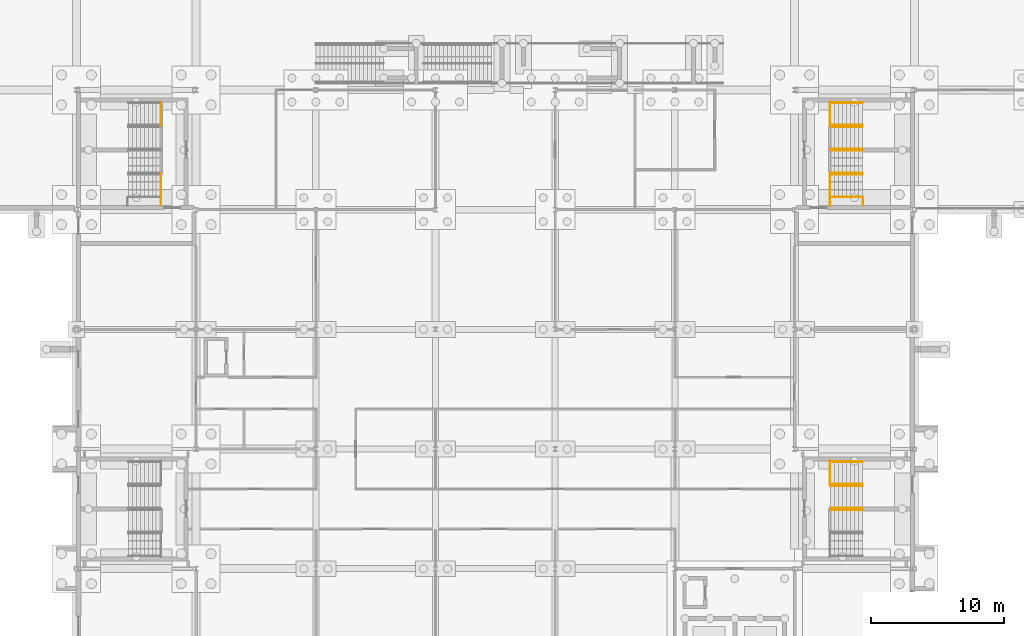
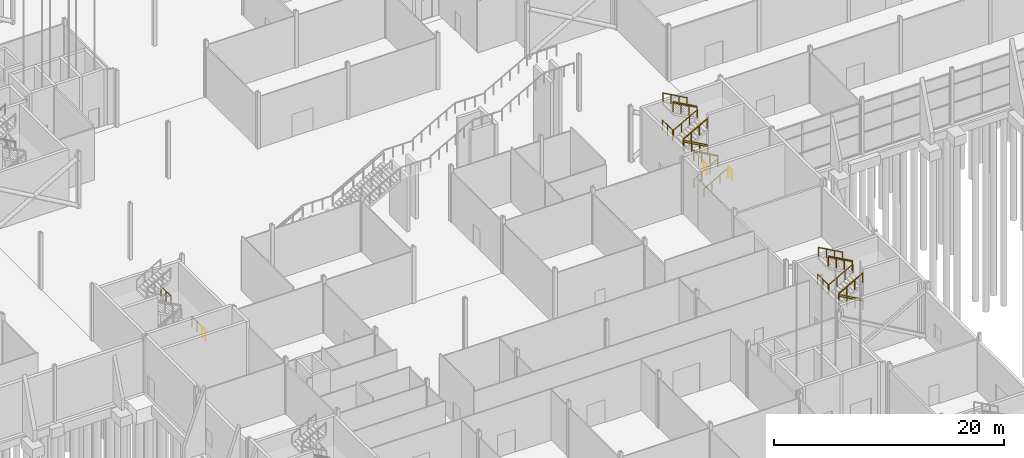
# One storey, part 133 of 139: 28 railings.
"""IFC4 building model written with IfcOpenShell, lengths in metres."""

from ifc_helpers import new_model, si_unit, direction, frame, origin, origin_2d, place, context, subcontext, project, spatial, circle, extrude, material, type_object, element, save


model = new_model("IFC4")

# Units and contexts
model_context = context("Model", 3, precision=1e-05, world=origin(), true_north=direction((0.0, 1.0)))
body_context = subcontext(model_context, "Body", "Model", "MODEL_VIEW")
ifc_project = project(units=[si_unit("LENGTHUNIT", "METRE"), si_unit("AREAUNIT", "SQUARE_METRE"), si_unit("VOLUMEUNIT", "CUBIC_METRE"), si_unit("PLANEANGLEUNIT", "RADIAN"), si_unit("MASSUNIT", "GRAM", prefix="KILO")], contexts=[model_context])

# Site, building, storey
site_placement = place(None, origin())
site = spatial("IfcSite", under=ifc_project, at=site_placement, CompositionType="ELEMENT")
building_placement = place(site_placement, origin())
building = spatial("IfcBuilding", under=site, at=building_placement, Name="Shorebreak Coast Museum", CompositionType="ELEMENT")
storey_placement = place(building_placement, origin())
storey = spatial("IfcBuildingStorey", under=building, at=storey_placement, Name="L00", CompositionType="ELEMENT", Elevation=0.0)

# Railings
ifc_material_1 = material(Name="Steel Grade 300", Category="steel")
railing_type_1 = type_object("IfcRailingType", Name="Stair guard 1100", PredefinedType="GUARDRAIL", material=ifc_material_1)
for number, where, name in (
    (1, (60.35009765625, 54.89990234375, 3.0), "Guard ST01 L00 landing mid1"),
    (2, (60.35009765625, 60.300048828125, 3.0), "Guard ST01 L00 landing mid1"),
):
    element("IfcRailing", number, at=place(storey_placement, frame(where)), inside=storey, type_object=railing_type_1, Name=name, PredefinedType="GUARDRAIL", context=body_context, shape_type="SweptSolid", body=[
        extrude(circle(Radius=0.02490234375, at=origin_2d()), frame((0.0, 0.0, 1.0751953125), z_axis=(0.0, 1.0, 0.0), x_axis=(-1.0, 0.0, 0.0)), (0.0, 0.0, 1.0), 1.800048828125),
        extrude(circle(Radius=0.02001953125, at=origin_2d()), origin(), (0.0, 0.0, 1.0), 1.050048828125),
        extrude(circle(Radius=0.02001953125, at=origin_2d()), frame((0.0, 0.89990234375, 0.0)), (0.0, 0.0, 1.0), 1.050048828125),
        extrude(circle(Radius=0.02001953125, at=origin_2d()), frame((0.0, 1.800048828125, 0.0)), (0.0, 0.0, 1.0), 1.050048828125),
    ])
railing_1_placement = place(storey_placement, frame((60.35009765625, 54.300048828125, 3.0)))
element("IfcRailing", 3, at=railing_1_placement, inside=storey, type_object=railing_type_1, Name="Guard ST01 L00 landing strip", PredefinedType="GUARDRAIL", context=body_context, shape_type="SweptSolid", body=[
    extrude(circle(Radius=0.02490234375, at=origin_2d()), frame((0.0, 0.0, 1.0751953125), z_axis=(0.0, 1.0, 0.0), x_axis=(-1.0, 0.0, 0.0)), (0.0, 0.0, 1.0), 0.599853515625),
    extrude(circle(Radius=0.02001953125, at=origin_2d()), origin(), (0.0, 0.0, 1.0), 1.050048828125),
    extrude(circle(Radius=0.02001953125, at=origin_2d()), frame((0.0, 0.599853515625, 0.0)), (0.0, 0.0, 1.0), 1.050048828125),
])
for number, where, name in (
    (4, (110.64990234375, 54.89990234375, 3.0), "Guard ST02 L00 landing mid1"),
    (5, (110.64990234375, 60.300048828125, 3.0), "Guard ST02 L00 landing mid1"),
):
    element("IfcRailing", number, at=place(storey_placement, frame(where)), inside=storey, type_object=railing_type_1, Name=name, PredefinedType="GUARDRAIL", context=body_context, shape_type="SweptSolid", body=[
        extrude(circle(Radius=0.02490234375, at=origin_2d()), frame((0.0, 0.0, 1.0751953125), z_axis=(0.0, 1.0, 0.0), x_axis=(-1.0, 0.0, 0.0)), (0.0, 0.0, 1.0), 1.800048828125),
        extrude(circle(Radius=0.02001953125, at=origin_2d()), origin(), (0.0, 0.0, 1.0), 1.050048828125),
        extrude(circle(Radius=0.02001953125, at=origin_2d()), frame((0.0, 0.89990234375, 0.0)), (0.0, 0.0, 1.0), 1.050048828125),
        extrude(circle(Radius=0.02001953125, at=origin_2d()), frame((0.0, 1.800048828125, 0.0)), (0.0, 0.0, 1.0), 1.050048828125),
    ])
for number, where, name in (
    (6, (110.64990234375, 54.300048828125, 3.0), "Guard ST02 L00 landing strip"),
    (7, (113.14990234375, 54.300048828125, 1.5), "Guard ST02 L00 landing strip"),
):
    element("IfcRailing", number, at=place(storey_placement, frame(where)), inside=storey, type_object=railing_type_1, Name=name, PredefinedType="GUARDRAIL", context=body_context, shape_type="SweptSolid", body=[
        extrude(circle(Radius=0.02490234375, at=origin_2d()), frame((0.0, 0.0, 1.0751953125), z_axis=(0.0, 1.0, 0.0), x_axis=(-1.0, 0.0, 0.0)), (0.0, 0.0, 1.0), 0.599853515625),
        extrude(circle(Radius=0.02001953125, at=origin_2d()), origin(), (0.0, 0.0, 1.0), 1.050048828125),
        extrude(circle(Radius=0.02001953125, at=origin_2d()), frame((0.0, 0.599853515625, 0.0)), (0.0, 0.0, 1.0), 1.050048828125),
    ])
for number, where, name in (
    (8, (113.10009765625, 56.699951171875, 1.666748046875), "Guard ST02-L00 well 1"),
    (9, (113.10009765625, 60.300048828125, 4.666748046875), "Guard ST02-L00 well 2"),
    (10, (113.10009765625, 58.5, 1.666748046875), "Guard ST02-L00 side 1"),
):
    element("IfcRailing", number, at=place(storey_placement, frame(where)), inside=storey, type_object=railing_type_1, Name=name, PredefinedType="GUARDRAIL", context=body_context, shape_type="SweptSolid", body=[
        extrude(circle(Radius=0.02490234375, at=origin_2d()), frame((0.0, 0.0, 1.0751953125), z_axis=(-0.874182441271, 0.0, 0.485597631145), x_axis=(0.0, -1.0, 0.0)), (0.0, 0.0, 1.0), 2.74560546875),
        extrude(circle(Radius=0.02001953125, at=origin_2d()), origin(), (0.0, 0.0, 1.0), 1.050048828125),
        extrude(circle(Radius=0.02001953125, at=origin_2d()), frame((-0.800048828125, 0.0, 0.4443359375)), (0.0, 0.0, 1.0), 1.050048828125),
        extrude(circle(Radius=0.02001953125, at=origin_2d()), frame((-1.60009765625, 0.0, 0.888916015625)), (0.0, 0.0, 1.0), 1.050048828125),
        extrude(circle(Radius=0.02001953125, at=origin_2d()), frame((-2.400146484375, 0.0, 1.333251953125)), (0.0, 0.0, 1.0), 1.050048828125),
    ])
railing_2_placement = place(storey_placement, frame((110.699951171875, 58.5, 3.166748046875)))
element("IfcRailing", 11, at=railing_2_placement, inside=storey, type_object=railing_type_1, Name="Guard ST02-L00 side 2", PredefinedType="GUARDRAIL", context=body_context, shape_type="SweptSolid", body=[
    extrude(circle(Radius=0.02490234375, at=origin_2d()), frame((0.0, 0.0, 1.0751953125), z_axis=(0.874182441271, 0.0, 0.485597631145), x_axis=(0.0, 1.0, 0.0)), (0.0, 0.0, 1.0), 2.74560546875),
    extrude(circle(Radius=0.02001953125, at=origin_2d()), origin(), (0.0, 0.0, 1.0), 1.050048828125),
    extrude(circle(Radius=0.02001953125, at=origin_2d()), frame((0.800048828125, 0.0, 0.4443359375)), (0.0, 0.0, 1.0), 1.050048828125),
    extrude(circle(Radius=0.02001953125, at=origin_2d()), frame((1.60009765625, 0.0, 0.888916015625)), (0.0, 0.0, 1.0), 1.050048828125),
    extrude(circle(Radius=0.02001953125, at=origin_2d()), frame((2.400146484375, 0.0, 1.333251953125)), (0.0, 0.0, 1.0), 1.050048828125),
])
railing_3_placement = place(storey_placement, frame((110.64990234375, 33.300048828125, 3.0)))
element("IfcRailing", 12, at=railing_3_placement, inside=storey, type_object=railing_type_1, Name="Guard ST14 L00 landing mid1", PredefinedType="GUARDRAIL", context=body_context, shape_type="SweptSolid", body=[
    extrude(circle(Radius=0.02490234375, at=origin_2d()), frame((0.0, 0.0, 1.0751953125), z_axis=(0.0, 1.0, 0.0), x_axis=(-1.0, 0.0, 0.0)), (0.0, 0.0, 1.0), 1.800048828125),
    extrude(circle(Radius=0.02001953125, at=origin_2d()), origin(), (0.0, 0.0, 1.0), 1.050048828125),
    extrude(circle(Radius=0.02001953125, at=origin_2d()), frame((0.0, 0.89990234375, 0.0)), (0.0, 0.0, 1.0), 1.050048828125),
    extrude(circle(Radius=0.02001953125, at=origin_2d()), frame((0.0, 1.800048828125, 0.0)), (0.0, 0.0, 1.0), 1.050048828125),
])
for number, where, name in (
    (13, (113.10009765625, 33.300048828125, 4.666748046875), "Guard ST14-L00 well 2"),
    (14, (113.10009765625, 31.5, 1.666748046875), "Guard ST14-L00 side 1"),
):
    element("IfcRailing", number, at=place(storey_placement, frame(where)), inside=storey, type_object=railing_type_1, Name=name, PredefinedType="GUARDRAIL", context=body_context, shape_type="SweptSolid", body=[
        extrude(circle(Radius=0.02490234375, at=origin_2d()), frame((0.0, 0.0, 1.0751953125), z_axis=(-0.874182441271, 0.0, 0.485597631145), x_axis=(0.0, -1.0, 0.0)), (0.0, 0.0, 1.0), 2.74560546875),
        extrude(circle(Radius=0.02001953125, at=origin_2d()), origin(), (0.0, 0.0, 1.0), 1.050048828125),
        extrude(circle(Radius=0.02001953125, at=origin_2d()), frame((-0.800048828125, 0.0, 0.4443359375)), (0.0, 0.0, 1.0), 1.050048828125),
        extrude(circle(Radius=0.02001953125, at=origin_2d()), frame((-1.60009765625, 0.0, 0.888916015625)), (0.0, 0.0, 1.0), 1.050048828125),
        extrude(circle(Radius=0.02001953125, at=origin_2d()), frame((-2.400146484375, 0.0, 1.333251953125)), (0.0, 0.0, 1.0), 1.050048828125),
    ])
railing_4_placement = place(storey_placement, frame((110.699951171875, 31.5, 3.166748046875)))
element("IfcRailing", 15, at=railing_4_placement, inside=storey, type_object=railing_type_1, Name="Guard ST14-L00 side 2", PredefinedType="GUARDRAIL", context=body_context, shape_type="SweptSolid", body=[
    extrude(circle(Radius=0.02490234375, at=origin_2d()), frame((0.0, 0.0, 1.0751953125), z_axis=(0.874182441271, 0.0, 0.485597631145), x_axis=(0.0, 1.0, 0.0)), (0.0, 0.0, 1.0), 2.74560546875),
    extrude(circle(Radius=0.02001953125, at=origin_2d()), origin(), (0.0, 0.0, 1.0), 1.050048828125),
    extrude(circle(Radius=0.02001953125, at=origin_2d()), frame((0.800048828125, 0.0, 0.4443359375)), (0.0, 0.0, 1.0), 1.050048828125),
    extrude(circle(Radius=0.02001953125, at=origin_2d()), frame((1.60009765625, 0.0, 0.888916015625)), (0.0, 0.0, 1.0), 1.050048828125),
    extrude(circle(Radius=0.02001953125, at=origin_2d()), frame((2.400146484375, 0.0, 1.333251953125)), (0.0, 0.0, 1.0), 1.050048828125),
])
ifc_material_2 = material(Name="Steel Grade 300", Category="steel")
railing_type_2 = type_object("IfcRailingType", Name="Stair handrail 950", PredefinedType="HANDRAIL", material=ifc_material_2)
for number, where, name in (
    (16, (110.699951171875, 54.9599609375, 0.166748046875), "Handrail ST02-L00 flight 1a"),
    (17, (110.699951171875, 56.639892578125, 0.166748046875), "Handrail ST02-L00 flight 1b"),
):
    element("IfcRailing", number, at=place(storey_placement, frame(where)), inside=storey, type_object=railing_type_2, Name=name, PredefinedType="HANDRAIL", context=body_context, shape_type="SweptSolid", body=[
        extrude(circle(Radius=0.02490234375, at=origin_2d()), frame((0.0, 0.0, 0.9248046875), z_axis=(0.874182441271, 0.0, 0.485597631145), x_axis=(0.0, 1.0, 0.0)), (0.0, 0.0, 1.0), 2.74560546875),
        extrude(circle(Radius=0.02001953125, at=origin_2d()), origin(), (0.0, 0.0, 1.0), 0.89990234375),
        extrude(circle(Radius=0.02001953125, at=origin_2d()), frame((0.800048828125, 0.0, 0.4443359375)), (0.0, 0.0, 1.0), 0.89990234375),
        extrude(circle(Radius=0.02001953125, at=origin_2d()), frame((1.60009765625, 0.0, 0.888916015625)), (0.0, 0.0, 1.0), 0.89990234375),
        extrude(circle(Radius=0.02001953125, at=origin_2d()), frame((2.400146484375, 0.0, 1.333251953125)), (0.0, 0.0, 1.0), 0.89990234375),
    ])
for number, where, name in (
    (18, (113.10009765625, 56.760009765625, 1.666748046875), "Handrail ST02-L00 flight 2a"),
    (19, (113.10009765625, 58.43994140625, 1.666748046875), "Handrail ST02-L00 flight 2b"),
):
    element("IfcRailing", number, at=place(storey_placement, frame(where)), inside=storey, type_object=railing_type_2, Name=name, PredefinedType="HANDRAIL", context=body_context, shape_type="SweptSolid", body=[
        extrude(circle(Radius=0.02490234375, at=origin_2d()), frame((0.0, 0.0, 0.9248046875), z_axis=(-0.874182441271, 0.0, 0.485597631145), x_axis=(0.0, -1.0, 0.0)), (0.0, 0.0, 1.0), 2.74560546875),
        extrude(circle(Radius=0.02001953125, at=origin_2d()), origin(), (0.0, 0.0, 1.0), 0.89990234375),
        extrude(circle(Radius=0.02001953125, at=origin_2d()), frame((-0.800048828125, 0.0, 0.4443359375)), (0.0, 0.0, 1.0), 0.89990234375),
        extrude(circle(Radius=0.02001953125, at=origin_2d()), frame((-1.60009765625, 0.0, 0.888916015625)), (0.0, 0.0, 1.0), 0.89990234375),
        extrude(circle(Radius=0.02001953125, at=origin_2d()), frame((-2.400146484375, 0.0, 1.333251953125)), (0.0, 0.0, 1.0), 0.89990234375),
    ])
for number, where, name in (
    (20, (110.699951171875, 58.56005859375, 3.166748046875), "Handrail ST02-L00 flight 3a"),
    (21, (110.699951171875, 60.239990234375, 3.166748046875), "Handrail ST02-L00 flight 3b"),
):
    element("IfcRailing", number, at=place(storey_placement, frame(where)), inside=storey, type_object=railing_type_2, Name=name, PredefinedType="HANDRAIL", context=body_context, shape_type="SweptSolid", body=[
        extrude(circle(Radius=0.02490234375, at=origin_2d()), frame((0.0, 0.0, 0.9248046875), z_axis=(0.874182441271, 0.0, 0.485597631145), x_axis=(0.0, 1.0, 0.0)), (0.0, 0.0, 1.0), 2.74560546875),
        extrude(circle(Radius=0.02001953125, at=origin_2d()), origin(), (0.0, 0.0, 1.0), 0.89990234375),
        extrude(circle(Radius=0.02001953125, at=origin_2d()), frame((0.800048828125, 0.0, 0.4443359375)), (0.0, 0.0, 1.0), 0.89990234375),
        extrude(circle(Radius=0.02001953125, at=origin_2d()), frame((1.60009765625, 0.0, 0.888916015625)), (0.0, 0.0, 1.0), 0.89990234375),
        extrude(circle(Radius=0.02001953125, at=origin_2d()), frame((2.400146484375, 0.0, 1.333251953125)), (0.0, 0.0, 1.0), 0.89990234375),
    ])
for number, where, name in (
    (22, (113.10009765625, 60.360107421875, 4.666748046875), "Handrail ST02-L00 flight 4a"),
    (23, (113.10009765625, 62.0400390625, 4.666748046875), "Handrail ST02-L00 flight 4b"),
    (24, (113.10009765625, 31.43994140625, 1.666748046875), "Handrail ST14-L00 flight 2b"),
):
    element("IfcRailing", number, at=place(storey_placement, frame(where)), inside=storey, type_object=railing_type_2, Name=name, PredefinedType="HANDRAIL", context=body_context, shape_type="SweptSolid", body=[
        extrude(circle(Radius=0.02490234375, at=origin_2d()), frame((0.0, 0.0, 0.9248046875), z_axis=(-0.874182441271, 0.0, 0.485597631145), x_axis=(0.0, -1.0, 0.0)), (0.0, 0.0, 1.0), 2.74560546875),
        extrude(circle(Radius=0.02001953125, at=origin_2d()), origin(), (0.0, 0.0, 1.0), 0.89990234375),
        extrude(circle(Radius=0.02001953125, at=origin_2d()), frame((-0.800048828125, 0.0, 0.4443359375)), (0.0, 0.0, 1.0), 0.89990234375),
        extrude(circle(Radius=0.02001953125, at=origin_2d()), frame((-1.60009765625, 0.0, 0.888916015625)), (0.0, 0.0, 1.0), 0.89990234375),
        extrude(circle(Radius=0.02001953125, at=origin_2d()), frame((-2.400146484375, 0.0, 1.333251953125)), (0.0, 0.0, 1.0), 0.89990234375),
    ])
for number, where, name in (
    (25, (110.699951171875, 31.56005859375, 3.166748046875), "Handrail ST14-L00 flight 3a"),
    (26, (110.699951171875, 33.239990234375, 3.166748046875), "Handrail ST14-L00 flight 3b"),
):
    element("IfcRailing", number, at=place(storey_placement, frame(where)), inside=storey, type_object=railing_type_2, Name=name, PredefinedType="HANDRAIL", context=body_context, shape_type="SweptSolid", body=[
        extrude(circle(Radius=0.02490234375, at=origin_2d()), frame((0.0, 0.0, 0.9248046875), z_axis=(0.874182441271, 0.0, 0.485597631145), x_axis=(0.0, 1.0, 0.0)), (0.0, 0.0, 1.0), 2.74560546875),
        extrude(circle(Radius=0.02001953125, at=origin_2d()), origin(), (0.0, 0.0, 1.0), 0.89990234375),
        extrude(circle(Radius=0.02001953125, at=origin_2d()), frame((0.800048828125, 0.0, 0.4443359375)), (0.0, 0.0, 1.0), 0.89990234375),
        extrude(circle(Radius=0.02001953125, at=origin_2d()), frame((1.60009765625, 0.0, 0.888916015625)), (0.0, 0.0, 1.0), 0.89990234375),
        extrude(circle(Radius=0.02001953125, at=origin_2d()), frame((2.400146484375, 0.0, 1.333251953125)), (0.0, 0.0, 1.0), 0.89990234375),
    ])
for number, where, name in (
    (27, (113.10009765625, 33.360107421875, 4.666748046875), "Handrail ST14-L00 flight 4a"),
    (28, (113.10009765625, 35.0400390625, 4.666748046875), "Handrail ST14-L00 flight 4b"),
):
    element("IfcRailing", number, at=place(storey_placement, frame(where)), inside=storey, type_object=railing_type_2, Name=name, PredefinedType="HANDRAIL", context=body_context, shape_type="SweptSolid", body=[
        extrude(circle(Radius=0.02490234375, at=origin_2d()), frame((0.0, 0.0, 0.9248046875), z_axis=(-0.874182441271, 0.0, 0.485597631145), x_axis=(0.0, -1.0, 0.0)), (0.0, 0.0, 1.0), 2.74560546875),
        extrude(circle(Radius=0.02001953125, at=origin_2d()), origin(), (0.0, 0.0, 1.0), 0.89990234375),
        extrude(circle(Radius=0.02001953125, at=origin_2d()), frame((-0.800048828125, 0.0, 0.4443359375)), (0.0, 0.0, 1.0), 0.89990234375),
        extrude(circle(Radius=0.02001953125, at=origin_2d()), frame((-1.60009765625, 0.0, 0.888916015625)), (0.0, 0.0, 1.0), 0.89990234375),
        extrude(circle(Radius=0.02001953125, at=origin_2d()), frame((-2.400146484375, 0.0, 1.333251953125)), (0.0, 0.0, 1.0), 0.89990234375),
    ])

save(model, "model.ifc")
